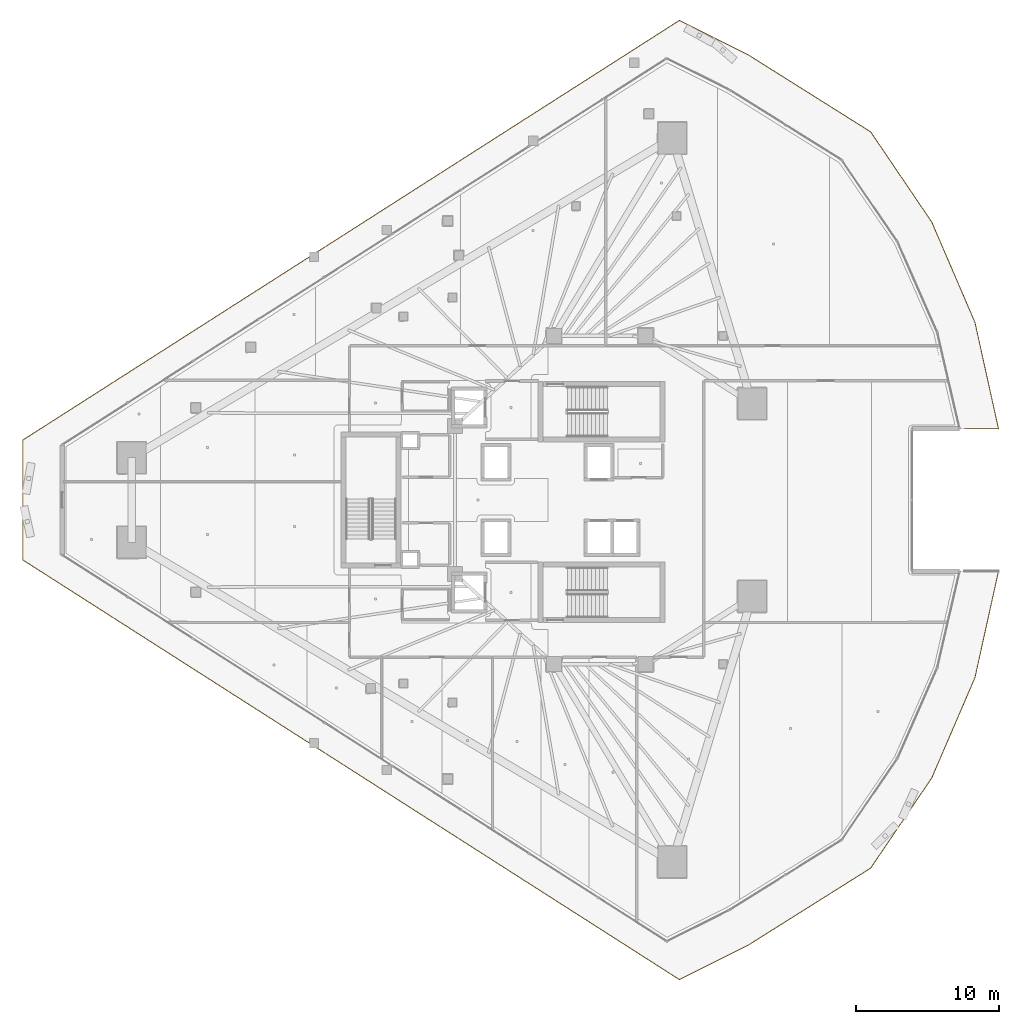
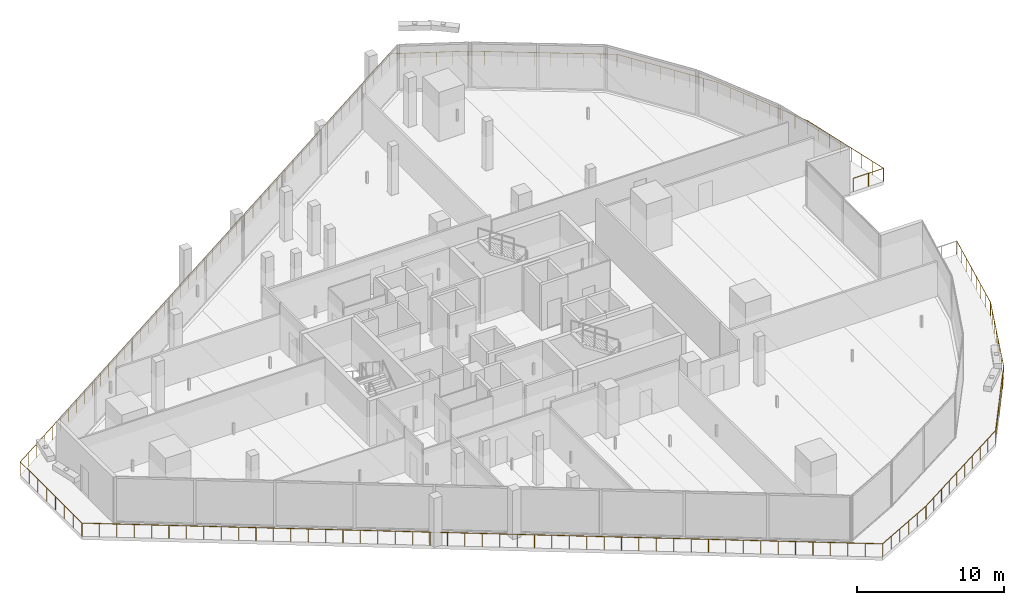
# One storey, part 38 of 42: 1 railing.
"""IFC4 building model written with IfcOpenShell, lengths in metres."""

from ifc_helpers import new_model, si_unit, direction, frame, origin, origin_2d, place, context, subcontext, project, spatial, circle, extrude, material, type_object, element, save


model = new_model("IFC4")

# Units and contexts
model_context = context("Model", 3, precision=1e-05, world=origin(), true_north=direction((0.0, 1.0)))
body_context = subcontext(model_context, "Body", "Model", "MODEL_VIEW")
ifc_project = project(units=[si_unit("LENGTHUNIT", "METRE"), si_unit("AREAUNIT", "SQUARE_METRE"), si_unit("VOLUMEUNIT", "CUBIC_METRE"), si_unit("PLANEANGLEUNIT", "RADIAN"), si_unit("MASSUNIT", "GRAM", prefix="KILO")], contexts=[model_context])

# Site, building, storey
site_placement = place(None, origin())
site = spatial("IfcSite", under=ifc_project, at=site_placement, CompositionType="ELEMENT")
building_placement = place(site_placement, origin())
building = spatial("IfcBuilding", under=site, at=building_placement, Name="Qorvath Tower", CompositionType="ELEMENT")
storey_placement = place(building_placement, frame((0.0, 0.0, 117.89990234375)))
storey = spatial("IfcBuildingStorey", under=building, at=storey_placement, Name="L26", CompositionType="ELEMENT", Elevation=117.89990234375)

# Railing
ifc_material = material(Name="Laminated safety glass and stainless steel AISI 316", Category="steel")
railing_type = type_object("IfcRailingType", Name="RL-EXT-GRD", PredefinedType="GUARDRAIL", material=ifc_material)
railing_placement = place(storey_placement, frame((7.4150390625, -4.968017578125, 0.0)))
element("IfcRailing", 1, at=railing_placement, inside=storey, type_object=railing_type, Name="Loggia Perimeter Guardrail L26-1.1", PredefinedType="GUARDRAIL", context=body_context, shape_type="SweptSolid", body=[
    extrude(circle(Radius=0.02392578125, at=origin_2d()), frame((0.0, 0.0, 1.09619140625), z_axis=(-0.216101297226, -0.976370948634, 0.0), x_axis=(0.976370948634, -0.216101297226, 0.0)), (0.0, 0.0, 1.0), 7.607666015625),
    extrude(circle(Radius=0.02392578125, at=origin_2d()), frame((-1.64404296875, -7.427978515625, 1.09619140625), z_axis=(-0.395471886854, -0.918478081779, 0.0), x_axis=(0.918478081779, -0.395471886854, 0.0)), (0.0, 0.0, 1.0), 7.607421875),
    extrude(circle(Radius=0.02392578125, at=origin_2d()), frame((-4.652587890625, -14.415283203125, 1.09619140625), z_axis=(-0.560831824611, -0.827929746116, 0.0), x_axis=(0.827929746116, -0.560831824611, 0.0)), (0.0, 0.0, 1.0), 7.607666015625),
    extrude(circle(Radius=0.02392578125, at=origin_2d()), frame((-8.919189453125, -20.7138671875, 1.09619140625), z_axis=(-0.846499520237, -0.532389483592, 0.0), x_axis=(0.532389483592, -0.846499520237, 0.0)), (0.0, 0.0, 1.0), 10.11669921875),
    extrude(circle(Radius=0.02392578125, at=origin_2d()), frame((-17.48291015625, -26.099853515625, 1.09619140625), z_axis=(-0.894418053376, -0.447231870281, 0.0), x_axis=(0.447231870281, -0.894418053376, 0.0)), (0.0, 0.0, 1.0), 5.34375),
    extrude(circle(Radius=0.02392578125, at=origin_2d()), frame((-22.262451171875, -28.48974609375, 1.09619140625), z_axis=(-0.842602631353, 0.538535797916, 0.0), x_axis=(-0.538535797916, -0.842602631353, 0.0)), (0.0, 0.0, 1.0), 54.361572265625),
    extrude(circle(Radius=0.02392578125, at=origin_2d()), frame((-68.067626953125, 0.785888671875, 1.09619140625), z_axis=(0.0, 1.0, 0.0), x_axis=(-1.0, 0.0, 0.0)), (0.0, 0.0, 1.0), 8.3642578125),
    extrude(circle(Radius=0.02392578125, at=origin_2d()), frame((-68.067626953125, 9.150146484375, 1.09619140625), z_axis=(0.842602631353, 0.538535797916, 0.0), x_axis=(-0.538535797916, 0.842602631353, 0.0)), (0.0, 0.0, 1.0), 54.361572265625),
    extrude(circle(Radius=0.02392578125, at=origin_2d()), frame((-22.262451171875, 38.42578125, 1.09619140625), z_axis=(0.894418053376, -0.447231870281, 0.0), x_axis=(0.447231870281, 0.894418053376, 0.0)), (0.0, 0.0, 1.0), 5.34375),
    extrude(circle(Radius=0.02392578125, at=origin_2d()), frame((-17.48291015625, 36.035888671875, 1.09619140625), z_axis=(0.846499520237, -0.532389483592, 0.0), x_axis=(0.532389483592, 0.846499520237, 0.0)), (0.0, 0.0, 1.0), 10.11669921875),
    extrude(circle(Radius=0.02392578125, at=origin_2d()), frame((-8.919189453125, 30.64990234375, 1.09619140625), z_axis=(0.560831824611, -0.827929746116, 0.0), x_axis=(0.827929746116, 0.560831824611, 0.0)), (0.0, 0.0, 1.0), 7.607666015625),
    extrude(circle(Radius=0.02392578125, at=origin_2d()), frame((-4.652587890625, 24.351318359375, 1.09619140625), z_axis=(0.395471886854, -0.918478081779, 0.0), x_axis=(0.918478081779, 0.395471886854, 0.0)), (0.0, 0.0, 1.0), 7.607421875),
    extrude(circle(Radius=0.02392578125, at=origin_2d()), frame((-1.64404296875, 17.364013671875, 1.09619140625), z_axis=(0.216101297226, -0.976370948634, 0.0), x_axis=(0.976370948634, 0.216101297226, 0.0)), (0.0, 0.0, 1.0), 7.607666015625),
    extrude(circle(Radius=0.02392578125, at=origin_2d()), frame((0.0, 9.93603515625, 1.09619140625), z_axis=(-1.0, 0.0, 0.0), x_axis=(0.0, -1.0, 0.0)), (0.0, 0.0, 1.0), 2.366455078125),
    extrude(circle(Radius=0.02099609375, at=origin_2d()), origin(), (0.0, 0.0, 1.0), 1.072021484375),
    extrude(circle(Radius=0.02099609375, at=origin_2d()), frame((-0.23486328125, -1.06103515625, 0.0)), (0.0, 0.0, 1.0), 1.072021484375),
    extrude(circle(Radius=0.02099609375, at=origin_2d()), frame((-0.4697265625, -2.122314453125, 0.0)), (0.0, 0.0, 1.0), 1.072021484375),
    extrude(circle(Radius=0.02099609375, at=origin_2d()), frame((-0.70458984375, -3.183349609375, 0.0)), (0.0, 0.0, 1.0), 1.072021484375),
    extrude(circle(Radius=0.02099609375, at=origin_2d()), frame((-0.939453125, -4.24462890625, 0.0)), (0.0, 0.0, 1.0), 1.072021484375),
    extrude(circle(Radius=0.02099609375, at=origin_2d()), frame((-1.17431640625, -5.3056640625, 0.0)), (0.0, 0.0, 1.0), 1.072021484375),
    extrude(circle(Radius=0.02099609375, at=origin_2d()), frame((-1.4091796875, -6.366943359375, 0.0)), (0.0, 0.0, 1.0), 1.072021484375),
    extrude(circle(Radius=0.02099609375, at=origin_2d()), frame((-1.64404296875, -7.427978515625, 0.0)), (0.0, 0.0, 1.0), 1.072021484375),
    extrude(circle(Radius=0.02099609375, at=origin_2d()), frame((-2.07373046875, -8.42626953125, 0.0)), (0.0, 0.0, 1.0), 1.072021484375),
    extrude(circle(Radius=0.02099609375, at=origin_2d()), frame((-2.503662109375, -9.42431640625, 0.0)), (0.0, 0.0, 1.0), 1.072021484375),
    extrude(circle(Radius=0.02099609375, at=origin_2d()), frame((-2.933349609375, -10.422607421875, 0.0)), (0.0, 0.0, 1.0), 1.072021484375),
    extrude(circle(Radius=0.02099609375, at=origin_2d()), frame((-3.36328125, -11.420654296875, 0.0)), (0.0, 0.0, 1.0), 1.072021484375),
    extrude(circle(Radius=0.02099609375, at=origin_2d()), frame((-3.79296875, -12.4189453125, 0.0)), (0.0, 0.0, 1.0), 1.072021484375),
    extrude(circle(Radius=0.02099609375, at=origin_2d()), frame((-4.222900390625, -13.4169921875, 0.0)), (0.0, 0.0, 1.0), 1.072021484375),
    extrude(circle(Radius=0.02099609375, at=origin_2d()), frame((-4.652587890625, -14.415283203125, 0.0)), (0.0, 0.0, 1.0), 1.072021484375),
    extrude(circle(Radius=0.02099609375, at=origin_2d()), frame((-5.26220703125, -15.315185546875, 0.0)), (0.0, 0.0, 1.0), 1.072021484375),
    extrude(circle(Radius=0.02099609375, at=origin_2d()), frame((-5.87158203125, -16.21484375, 0.0)), (0.0, 0.0, 1.0), 1.072021484375),
    extrude(circle(Radius=0.02099609375, at=origin_2d()), frame((-6.481201171875, -17.11474609375, 0.0)), (0.0, 0.0, 1.0), 1.072021484375),
    extrude(circle(Radius=0.02099609375, at=origin_2d()), frame((-7.090576171875, -18.014404296875, 0.0)), (0.0, 0.0, 1.0), 1.072021484375),
    extrude(circle(Radius=0.02099609375, at=origin_2d()), frame((-7.7001953125, -18.914306640625, 0.0)), (0.0, 0.0, 1.0), 1.072021484375),
    extrude(circle(Radius=0.02099609375, at=origin_2d()), frame((-8.3095703125, -19.81396484375, 0.0)), (0.0, 0.0, 1.0), 1.072021484375),
    extrude(circle(Radius=0.02099609375, at=origin_2d()), frame((-8.919189453125, -20.7138671875, 0.0)), (0.0, 0.0, 1.0), 1.072021484375),
    extrude(circle(Radius=0.02099609375, at=origin_2d()), frame((-9.87060546875, -21.312255859375, 0.0)), (0.0, 0.0, 1.0), 1.072021484375),
    extrude(circle(Radius=0.02099609375, at=origin_2d()), frame((-10.822265625, -21.91064453125, 0.0)), (0.0, 0.0, 1.0), 1.072021484375),
    extrude(circle(Radius=0.02099609375, at=origin_2d()), frame((-11.773681640625, -22.50927734375, 0.0)), (0.0, 0.0, 1.0), 1.072021484375),
    extrude(circle(Radius=0.02099609375, at=origin_2d()), frame((-12.725341796875, -23.107666015625, 0.0)), (0.0, 0.0, 1.0), 1.072021484375),
    extrude(circle(Radius=0.02099609375, at=origin_2d()), frame((-13.6767578125, -23.7060546875, 0.0)), (0.0, 0.0, 1.0), 1.072021484375),
    extrude(circle(Radius=0.02099609375, at=origin_2d()), frame((-14.62841796875, -24.304443359375, 0.0)), (0.0, 0.0, 1.0), 1.072021484375),
    extrude(circle(Radius=0.02099609375, at=origin_2d()), frame((-15.579833984375, -24.903076171875, 0.0)), (0.0, 0.0, 1.0), 1.072021484375),
    extrude(circle(Radius=0.02099609375, at=origin_2d()), frame((-16.531494140625, -25.50146484375, 0.0)), (0.0, 0.0, 1.0), 1.072021484375),
    extrude(circle(Radius=0.02099609375, at=origin_2d()), frame((-17.48291015625, -26.099853515625, 0.0)), (0.0, 0.0, 1.0), 1.072021484375),
    extrude(circle(Radius=0.02099609375, at=origin_2d()), frame((-18.438720703125, -26.577880859375, 0.0)), (0.0, 0.0, 1.0), 1.072021484375),
    extrude(circle(Radius=0.02099609375, at=origin_2d()), frame((-19.394775390625, -27.055908203125, 0.0)), (0.0, 0.0, 1.0), 1.072021484375),
    extrude(circle(Radius=0.02099609375, at=origin_2d()), frame((-20.3505859375, -27.53369140625, 0.0)), (0.0, 0.0, 1.0), 1.072021484375),
    extrude(circle(Radius=0.02099609375, at=origin_2d()), frame((-21.306640625, -28.01171875, 0.0)), (0.0, 0.0, 1.0), 1.072021484375),
    extrude(circle(Radius=0.02099609375, at=origin_2d()), frame((-22.262451171875, -28.48974609375, 0.0)), (0.0, 0.0, 1.0), 1.072021484375),
    extrude(circle(Radius=0.02099609375, at=origin_2d()), frame((-23.25830078125, -27.853271484375, 0.0)), (0.0, 0.0, 1.0), 1.072021484375),
    extrude(circle(Radius=0.02099609375, at=origin_2d()), frame((-24.25390625, -27.216796875, 0.0)), (0.0, 0.0, 1.0), 1.072021484375),
    extrude(circle(Radius=0.02099609375, at=origin_2d()), frame((-25.249755859375, -26.58056640625, 0.0)), (0.0, 0.0, 1.0), 1.072021484375),
    extrude(circle(Radius=0.02099609375, at=origin_2d()), frame((-26.24560546875, -25.944091796875, 0.0)), (0.0, 0.0, 1.0), 1.072021484375),
    extrude(circle(Radius=0.02099609375, at=origin_2d()), frame((-27.2412109375, -25.3076171875, 0.0)), (0.0, 0.0, 1.0), 1.072021484375),
    extrude(circle(Radius=0.02099609375, at=origin_2d()), frame((-28.237060546875, -24.671142578125, 0.0)), (0.0, 0.0, 1.0), 1.072021484375),
    extrude(circle(Radius=0.02099609375, at=origin_2d()), frame((-29.23291015625, -24.03466796875, 0.0)), (0.0, 0.0, 1.0), 1.072021484375),
    extrude(circle(Radius=0.02099609375, at=origin_2d()), frame((-30.228515625, -23.3984375, 0.0)), (0.0, 0.0, 1.0), 1.072021484375),
    extrude(circle(Radius=0.02099609375, at=origin_2d()), frame((-31.224365234375, -22.761962890625, 0.0)), (0.0, 0.0, 1.0), 1.072021484375),
    extrude(circle(Radius=0.02099609375, at=origin_2d()), frame((-32.22021484375, -22.12548828125, 0.0)), (0.0, 0.0, 1.0), 1.072021484375),
    extrude(circle(Radius=0.02099609375, at=origin_2d()), frame((-33.2158203125, -21.489013671875, 0.0)), (0.0, 0.0, 1.0), 1.072021484375),
    extrude(circle(Radius=0.02099609375, at=origin_2d()), frame((-34.211669921875, -20.8525390625, 0.0)), (0.0, 0.0, 1.0), 1.072021484375),
    extrude(circle(Radius=0.02099609375, at=origin_2d()), frame((-35.207275390625, -20.21630859375, 0.0)), (0.0, 0.0, 1.0), 1.072021484375),
    extrude(circle(Radius=0.02099609375, at=origin_2d()), frame((-36.203125, -19.579833984375, 0.0)), (0.0, 0.0, 1.0), 1.072021484375),
    extrude(circle(Radius=0.02099609375, at=origin_2d()), frame((-37.198974609375, -18.943359375, 0.0)), (0.0, 0.0, 1.0), 1.072021484375),
    extrude(circle(Radius=0.02099609375, at=origin_2d()), frame((-38.194580078125, -18.306884765625, 0.0)), (0.0, 0.0, 1.0), 1.072021484375),
    extrude(circle(Radius=0.02099609375, at=origin_2d()), frame((-39.1904296875, -17.67041015625, 0.0)), (0.0, 0.0, 1.0), 1.072021484375),
    extrude(circle(Radius=0.02099609375, at=origin_2d()), frame((-40.186279296875, -17.0341796875, 0.0)), (0.0, 0.0, 1.0), 1.072021484375),
    extrude(circle(Radius=0.02099609375, at=origin_2d()), frame((-41.181884765625, -16.397705078125, 0.0)), (0.0, 0.0, 1.0), 1.072021484375),
    extrude(circle(Radius=0.02099609375, at=origin_2d()), frame((-42.177734375, -15.76123046875, 0.0)), (0.0, 0.0, 1.0), 1.072021484375),
    extrude(circle(Radius=0.02099609375, at=origin_2d()), frame((-43.173583984375, -15.124755859375, 0.0)), (0.0, 0.0, 1.0), 1.072021484375),
    extrude(circle(Radius=0.02099609375, at=origin_2d()), frame((-44.169189453125, -14.48828125, 0.0)), (0.0, 0.0, 1.0), 1.072021484375),
    extrude(circle(Radius=0.02099609375, at=origin_2d()), frame((-45.1650390625, -13.85205078125, 0.0)), (0.0, 0.0, 1.0), 1.072021484375),
    extrude(circle(Radius=0.02099609375, at=origin_2d()), frame((-46.160888671875, -13.215576171875, 0.0)), (0.0, 0.0, 1.0), 1.072021484375),
    extrude(circle(Radius=0.02099609375, at=origin_2d()), frame((-47.156494140625, -12.5791015625, 0.0)), (0.0, 0.0, 1.0), 1.072021484375),
    extrude(circle(Radius=0.02099609375, at=origin_2d()), frame((-48.15234375, -11.942626953125, 0.0)), (0.0, 0.0, 1.0), 1.072021484375),
    extrude(circle(Radius=0.02099609375, at=origin_2d()), frame((-49.148193359375, -11.30615234375, 0.0)), (0.0, 0.0, 1.0), 1.072021484375),
    extrude(circle(Radius=0.02099609375, at=origin_2d()), frame((-50.143798828125, -10.669677734375, 0.0)), (0.0, 0.0, 1.0), 1.072021484375),
    extrude(circle(Radius=0.02099609375, at=origin_2d()), frame((-51.1396484375, -10.033447265625, 0.0)), (0.0, 0.0, 1.0), 1.072021484375),
    extrude(circle(Radius=0.02099609375, at=origin_2d()), frame((-52.135498046875, -9.39697265625, 0.0)), (0.0, 0.0, 1.0), 1.072021484375),
    extrude(circle(Radius=0.02099609375, at=origin_2d()), frame((-53.131103515625, -8.760498046875, 0.0)), (0.0, 0.0, 1.0), 1.072021484375),
    extrude(circle(Radius=0.02099609375, at=origin_2d()), frame((-54.126953125, -8.1240234375, 0.0)), (0.0, 0.0, 1.0), 1.072021484375),
    extrude(circle(Radius=0.02099609375, at=origin_2d()), frame((-55.122802734375, -7.487548828125, 0.0)), (0.0, 0.0, 1.0), 1.072021484375),
    extrude(circle(Radius=0.02099609375, at=origin_2d()), frame((-56.118408203125, -6.851318359375, 0.0)), (0.0, 0.0, 1.0), 1.072021484375),
    extrude(circle(Radius=0.02099609375, at=origin_2d()), frame((-57.1142578125, -6.21484375, 0.0)), (0.0, 0.0, 1.0), 1.072021484375),
    extrude(circle(Radius=0.02099609375, at=origin_2d()), frame((-58.10986328125, -5.578369140625, 0.0)), (0.0, 0.0, 1.0), 1.072021484375),
    extrude(circle(Radius=0.02099609375, at=origin_2d()), frame((-59.105712890625, -4.94189453125, 0.0)), (0.0, 0.0, 1.0), 1.072021484375),
    extrude(circle(Radius=0.02099609375, at=origin_2d()), frame((-60.1015625, -4.305419921875, 0.0)), (0.0, 0.0, 1.0), 1.072021484375),
    extrude(circle(Radius=0.02099609375, at=origin_2d()), frame((-61.09716796875, -3.669189453125, 0.0)), (0.0, 0.0, 1.0), 1.072021484375),
    extrude(circle(Radius=0.02099609375, at=origin_2d()), frame((-62.093017578125, -3.03271484375, 0.0)), (0.0, 0.0, 1.0), 1.072021484375),
    extrude(circle(Radius=0.02099609375, at=origin_2d()), frame((-63.0888671875, -2.396240234375, 0.0)), (0.0, 0.0, 1.0), 1.072021484375),
    extrude(circle(Radius=0.02099609375, at=origin_2d()), frame((-64.08447265625, -1.759765625, 0.0)), (0.0, 0.0, 1.0), 1.072021484375),
    extrude(circle(Radius=0.02099609375, at=origin_2d()), frame((-65.080322265625, -1.123291015625, 0.0)), (0.0, 0.0, 1.0), 1.072021484375),
    extrude(circle(Radius=0.02099609375, at=origin_2d()), frame((-66.076171875, -0.487060546875, 0.0)), (0.0, 0.0, 1.0), 1.072021484375),
    extrude(circle(Radius=0.02099609375, at=origin_2d()), frame((-67.07177734375, 0.1494140625, 0.0)), (0.0, 0.0, 1.0), 1.072021484375),
    extrude(circle(Radius=0.02099609375, at=origin_2d()), frame((-68.067626953125, 0.785888671875, 0.0)), (0.0, 0.0, 1.0), 1.072021484375),
    extrude(circle(Radius=0.02099609375, at=origin_2d()), frame((-68.067626953125, 1.980712890625, 0.0)), (0.0, 0.0, 1.0), 1.072021484375),
    extrude(circle(Radius=0.02099609375, at=origin_2d()), frame((-68.067626953125, 3.17578125, 0.0)), (0.0, 0.0, 1.0), 1.072021484375),
    extrude(circle(Radius=0.02099609375, at=origin_2d()), frame((-68.067626953125, 4.37060546875, 0.0)), (0.0, 0.0, 1.0), 1.072021484375),
    extrude(circle(Radius=0.02099609375, at=origin_2d()), frame((-68.067626953125, 5.5654296875, 0.0)), (0.0, 0.0, 1.0), 1.072021484375),
    extrude(circle(Radius=0.02099609375, at=origin_2d()), frame((-68.067626953125, 6.76025390625, 0.0)), (0.0, 0.0, 1.0), 1.072021484375),
    extrude(circle(Radius=0.02099609375, at=origin_2d()), frame((-68.067626953125, 7.955322265625, 0.0)), (0.0, 0.0, 1.0), 1.072021484375),
    extrude(circle(Radius=0.02099609375, at=origin_2d()), frame((-68.067626953125, 9.150146484375, 0.0)), (0.0, 0.0, 1.0), 1.072021484375),
    extrude(circle(Radius=0.02099609375, at=origin_2d()), frame((-67.07177734375, 9.78662109375, 0.0)), (0.0, 0.0, 1.0), 1.072021484375),
    extrude(circle(Radius=0.02099609375, at=origin_2d()), frame((-66.076171875, 10.423095703125, 0.0)), (0.0, 0.0, 1.0), 1.072021484375),
    extrude(circle(Radius=0.02099609375, at=origin_2d()), frame((-65.080322265625, 11.059326171875, 0.0)), (0.0, 0.0, 1.0), 1.072021484375),
    extrude(circle(Radius=0.02099609375, at=origin_2d()), frame((-64.08447265625, 11.69580078125, 0.0)), (0.0, 0.0, 1.0), 1.072021484375),
    extrude(circle(Radius=0.02099609375, at=origin_2d()), frame((-63.0888671875, 12.332275390625, 0.0)), (0.0, 0.0, 1.0), 1.072021484375),
    extrude(circle(Radius=0.02099609375, at=origin_2d()), frame((-62.093017578125, 12.96875, 0.0)), (0.0, 0.0, 1.0), 1.072021484375),
    extrude(circle(Radius=0.02099609375, at=origin_2d()), frame((-61.09716796875, 13.605224609375, 0.0)), (0.0, 0.0, 1.0), 1.072021484375),
    extrude(circle(Radius=0.02099609375, at=origin_2d()), frame((-60.1015625, 14.241455078125, 0.0)), (0.0, 0.0, 1.0), 1.072021484375),
    extrude(circle(Radius=0.02099609375, at=origin_2d()), frame((-59.105712890625, 14.8779296875, 0.0)), (0.0, 0.0, 1.0), 1.072021484375),
    extrude(circle(Radius=0.02099609375, at=origin_2d()), frame((-58.10986328125, 15.514404296875, 0.0)), (0.0, 0.0, 1.0), 1.072021484375),
    extrude(circle(Radius=0.02099609375, at=origin_2d()), frame((-57.1142578125, 16.15087890625, 0.0)), (0.0, 0.0, 1.0), 1.072021484375),
    extrude(circle(Radius=0.02099609375, at=origin_2d()), frame((-56.118408203125, 16.787353515625, 0.0)), (0.0, 0.0, 1.0), 1.072021484375),
    extrude(circle(Radius=0.02099609375, at=origin_2d()), frame((-55.122802734375, 17.423583984375, 0.0)), (0.0, 0.0, 1.0), 1.072021484375),
    extrude(circle(Radius=0.02099609375, at=origin_2d()), frame((-54.126953125, 18.06005859375, 0.0)), (0.0, 0.0, 1.0), 1.072021484375),
    extrude(circle(Radius=0.02099609375, at=origin_2d()), frame((-53.131103515625, 18.696533203125, 0.0)), (0.0, 0.0, 1.0), 1.072021484375),
    extrude(circle(Radius=0.02099609375, at=origin_2d()), frame((-52.135498046875, 19.3330078125, 0.0)), (0.0, 0.0, 1.0), 1.072021484375),
    extrude(circle(Radius=0.02099609375, at=origin_2d()), frame((-51.1396484375, 19.969482421875, 0.0)), (0.0, 0.0, 1.0), 1.072021484375),
    extrude(circle(Radius=0.02099609375, at=origin_2d()), frame((-50.143798828125, 20.605712890625, 0.0)), (0.0, 0.0, 1.0), 1.072021484375),
    extrude(circle(Radius=0.02099609375, at=origin_2d()), frame((-49.148193359375, 21.2421875, 0.0)), (0.0, 0.0, 1.0), 1.072021484375),
    extrude(circle(Radius=0.02099609375, at=origin_2d()), frame((-48.15234375, 21.878662109375, 0.0)), (0.0, 0.0, 1.0), 1.072021484375),
    extrude(circle(Radius=0.02099609375, at=origin_2d()), frame((-47.156494140625, 22.51513671875, 0.0)), (0.0, 0.0, 1.0), 1.072021484375),
    extrude(circle(Radius=0.02099609375, at=origin_2d()), frame((-46.160888671875, 23.151611328125, 0.0)), (0.0, 0.0, 1.0), 1.072021484375),
    extrude(circle(Radius=0.02099609375, at=origin_2d()), frame((-45.1650390625, 23.7880859375, 0.0)), (0.0, 0.0, 1.0), 1.072021484375),
    extrude(circle(Radius=0.02099609375, at=origin_2d()), frame((-44.169189453125, 24.42431640625, 0.0)), (0.0, 0.0, 1.0), 1.072021484375),
    extrude(circle(Radius=0.02099609375, at=origin_2d()), frame((-43.173583984375, 25.060791015625, 0.0)), (0.0, 0.0, 1.0), 1.072021484375),
    extrude(circle(Radius=0.02099609375, at=origin_2d()), frame((-42.177734375, 25.697265625, 0.0)), (0.0, 0.0, 1.0), 1.072021484375),
    extrude(circle(Radius=0.02099609375, at=origin_2d()), frame((-41.181884765625, 26.333740234375, 0.0)), (0.0, 0.0, 1.0), 1.072021484375),
    extrude(circle(Radius=0.02099609375, at=origin_2d()), frame((-40.186279296875, 26.97021484375, 0.0)), (0.0, 0.0, 1.0), 1.072021484375),
    extrude(circle(Radius=0.02099609375, at=origin_2d()), frame((-39.1904296875, 27.6064453125, 0.0)), (0.0, 0.0, 1.0), 1.072021484375),
    extrude(circle(Radius=0.02099609375, at=origin_2d()), frame((-38.194580078125, 28.242919921875, 0.0)), (0.0, 0.0, 1.0), 1.072021484375),
    extrude(circle(Radius=0.02099609375, at=origin_2d()), frame((-37.198974609375, 28.87939453125, 0.0)), (0.0, 0.0, 1.0), 1.072021484375),
    extrude(circle(Radius=0.02099609375, at=origin_2d()), frame((-36.203125, 29.515869140625, 0.0)), (0.0, 0.0, 1.0), 1.072021484375),
    extrude(circle(Radius=0.02099609375, at=origin_2d()), frame((-35.207275390625, 30.15234375, 0.0)), (0.0, 0.0, 1.0), 1.072021484375),
    extrude(circle(Radius=0.02099609375, at=origin_2d()), frame((-34.211669921875, 30.78857421875, 0.0)), (0.0, 0.0, 1.0), 1.072021484375),
    extrude(circle(Radius=0.02099609375, at=origin_2d()), frame((-33.2158203125, 31.425048828125, 0.0)), (0.0, 0.0, 1.0), 1.072021484375),
    extrude(circle(Radius=0.02099609375, at=origin_2d()), frame((-32.22021484375, 32.0615234375, 0.0)), (0.0, 0.0, 1.0), 1.072021484375),
    extrude(circle(Radius=0.02099609375, at=origin_2d()), frame((-31.224365234375, 32.697998046875, 0.0)), (0.0, 0.0, 1.0), 1.072021484375),
    extrude(circle(Radius=0.02099609375, at=origin_2d()), frame((-30.228515625, 33.33447265625, 0.0)), (0.0, 0.0, 1.0), 1.072021484375),
    extrude(circle(Radius=0.02099609375, at=origin_2d()), frame((-29.23291015625, 33.970703125, 0.0)), (0.0, 0.0, 1.0), 1.072021484375),
    extrude(circle(Radius=0.02099609375, at=origin_2d()), frame((-28.237060546875, 34.607177734375, 0.0)), (0.0, 0.0, 1.0), 1.072021484375),
    extrude(circle(Radius=0.02099609375, at=origin_2d()), frame((-27.2412109375, 35.24365234375, 0.0)), (0.0, 0.0, 1.0), 1.072021484375),
    extrude(circle(Radius=0.02099609375, at=origin_2d()), frame((-26.24560546875, 35.880126953125, 0.0)), (0.0, 0.0, 1.0), 1.072021484375),
    extrude(circle(Radius=0.02099609375, at=origin_2d()), frame((-25.249755859375, 36.5166015625, 0.0)), (0.0, 0.0, 1.0), 1.072021484375),
    extrude(circle(Radius=0.02099609375, at=origin_2d()), frame((-24.25390625, 37.15283203125, 0.0)), (0.0, 0.0, 1.0), 1.072021484375),
    extrude(circle(Radius=0.02099609375, at=origin_2d()), frame((-23.25830078125, 37.789306640625, 0.0)), (0.0, 0.0, 1.0), 1.072021484375),
    extrude(circle(Radius=0.02099609375, at=origin_2d()), frame((-22.262451171875, 38.42578125, 0.0)), (0.0, 0.0, 1.0), 1.072021484375),
    extrude(circle(Radius=0.02099609375, at=origin_2d()), frame((-21.306640625, 37.94775390625, 0.0)), (0.0, 0.0, 1.0), 1.072021484375),
    extrude(circle(Radius=0.02099609375, at=origin_2d()), frame((-20.3505859375, 37.4697265625, 0.0)), (0.0, 0.0, 1.0), 1.072021484375),
    extrude(circle(Radius=0.02099609375, at=origin_2d()), frame((-19.394775390625, 36.991943359375, 0.0)), (0.0, 0.0, 1.0), 1.072021484375),
    extrude(circle(Radius=0.02099609375, at=origin_2d()), frame((-18.438720703125, 36.513916015625, 0.0)), (0.0, 0.0, 1.0), 1.072021484375),
    extrude(circle(Radius=0.02099609375, at=origin_2d()), frame((-17.48291015625, 36.035888671875, 0.0)), (0.0, 0.0, 1.0), 1.072021484375),
    extrude(circle(Radius=0.02099609375, at=origin_2d()), frame((-16.531494140625, 35.4375, 0.0)), (0.0, 0.0, 1.0), 1.072021484375),
    extrude(circle(Radius=0.02099609375, at=origin_2d()), frame((-15.579833984375, 34.839111328125, 0.0)), (0.0, 0.0, 1.0), 1.072021484375),
    extrude(circle(Radius=0.02099609375, at=origin_2d()), frame((-14.62841796875, 34.240478515625, 0.0)), (0.0, 0.0, 1.0), 1.072021484375),
    extrude(circle(Radius=0.02099609375, at=origin_2d()), frame((-13.6767578125, 33.64208984375, 0.0)), (0.0, 0.0, 1.0), 1.072021484375),
    extrude(circle(Radius=0.02099609375, at=origin_2d()), frame((-12.725341796875, 33.043701171875, 0.0)), (0.0, 0.0, 1.0), 1.072021484375),
    extrude(circle(Radius=0.02099609375, at=origin_2d()), frame((-11.773681640625, 32.4453125, 0.0)), (0.0, 0.0, 1.0), 1.072021484375),
    extrude(circle(Radius=0.02099609375, at=origin_2d()), frame((-10.822265625, 31.8466796875, 0.0)), (0.0, 0.0, 1.0), 1.072021484375),
    extrude(circle(Radius=0.02099609375, at=origin_2d()), frame((-9.87060546875, 31.248291015625, 0.0)), (0.0, 0.0, 1.0), 1.072021484375),
    extrude(circle(Radius=0.02099609375, at=origin_2d()), frame((-8.919189453125, 30.64990234375, 0.0)), (0.0, 0.0, 1.0), 1.072021484375),
    extrude(circle(Radius=0.02099609375, at=origin_2d()), frame((-8.3095703125, 29.75, 0.0)), (0.0, 0.0, 1.0), 1.072021484375),
    extrude(circle(Radius=0.02099609375, at=origin_2d()), frame((-7.7001953125, 28.850341796875, 0.0)), (0.0, 0.0, 1.0), 1.072021484375),
    extrude(circle(Radius=0.02099609375, at=origin_2d()), frame((-7.090576171875, 27.950439453125, 0.0)), (0.0, 0.0, 1.0), 1.072021484375),
    extrude(circle(Radius=0.02099609375, at=origin_2d()), frame((-6.481201171875, 27.05078125, 0.0)), (0.0, 0.0, 1.0), 1.072021484375),
    extrude(circle(Radius=0.02099609375, at=origin_2d()), frame((-5.87158203125, 26.15087890625, 0.0)), (0.0, 0.0, 1.0), 1.072021484375),
    extrude(circle(Radius=0.02099609375, at=origin_2d()), frame((-5.26220703125, 25.251220703125, 0.0)), (0.0, 0.0, 1.0), 1.072021484375),
    extrude(circle(Radius=0.02099609375, at=origin_2d()), frame((-4.652587890625, 24.351318359375, 0.0)), (0.0, 0.0, 1.0), 1.072021484375),
    extrude(circle(Radius=0.02099609375, at=origin_2d()), frame((-4.222900390625, 23.35302734375, 0.0)), (0.0, 0.0, 1.0), 1.072021484375),
    extrude(circle(Radius=0.02099609375, at=origin_2d()), frame((-3.79296875, 22.35498046875, 0.0)), (0.0, 0.0, 1.0), 1.072021484375),
    extrude(circle(Radius=0.02099609375, at=origin_2d()), frame((-3.36328125, 21.356689453125, 0.0)), (0.0, 0.0, 1.0), 1.072021484375),
    extrude(circle(Radius=0.02099609375, at=origin_2d()), frame((-2.933349609375, 20.358642578125, 0.0)), (0.0, 0.0, 1.0), 1.072021484375),
    extrude(circle(Radius=0.02099609375, at=origin_2d()), frame((-2.503662109375, 19.3603515625, 0.0)), (0.0, 0.0, 1.0), 1.072021484375),
    extrude(circle(Radius=0.02099609375, at=origin_2d()), frame((-2.07373046875, 18.3623046875, 0.0)), (0.0, 0.0, 1.0), 1.072021484375),
    extrude(circle(Radius=0.02099609375, at=origin_2d()), frame((-1.64404296875, 17.364013671875, 0.0)), (0.0, 0.0, 1.0), 1.072021484375),
    extrude(circle(Radius=0.02099609375, at=origin_2d()), frame((-1.4091796875, 16.302978515625, 0.0)), (0.0, 0.0, 1.0), 1.072021484375),
    extrude(circle(Radius=0.02099609375, at=origin_2d()), frame((-1.17431640625, 15.24169921875, 0.0)), (0.0, 0.0, 1.0), 1.072021484375),
    extrude(circle(Radius=0.02099609375, at=origin_2d()), frame((-0.939453125, 14.1806640625, 0.0)), (0.0, 0.0, 1.0), 1.072021484375),
    extrude(circle(Radius=0.02099609375, at=origin_2d()), frame((-0.70458984375, 13.119384765625, 0.0)), (0.0, 0.0, 1.0), 1.072021484375),
    extrude(circle(Radius=0.02099609375, at=origin_2d()), frame((-0.4697265625, 12.058349609375, 0.0)), (0.0, 0.0, 1.0), 1.072021484375),
    extrude(circle(Radius=0.02099609375, at=origin_2d()), frame((-0.23486328125, 10.9970703125, 0.0)), (0.0, 0.0, 1.0), 1.072021484375),
    extrude(circle(Radius=0.02099609375, at=origin_2d()), frame((0.0, 9.93603515625, 0.0)), (0.0, 0.0, 1.0), 1.072021484375),
    extrude(circle(Radius=0.02099609375, at=origin_2d()), frame((-1.18310546875, 9.93603515625, 0.0)), (0.0, 0.0, 1.0), 1.072021484375),
    extrude(circle(Radius=0.02099609375, at=origin_2d()), frame((-2.366455078125, 9.93603515625, 0.0)), (0.0, 0.0, 1.0), 1.072021484375),
])

save(model, "model.ifc")
